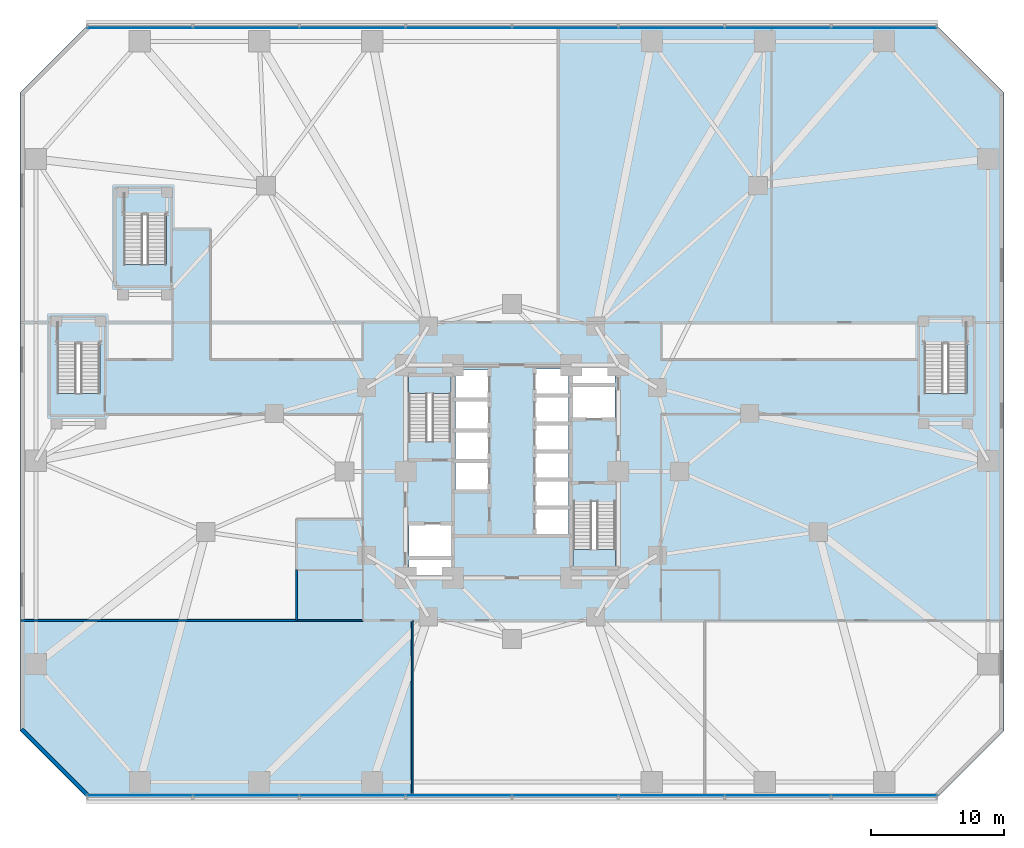
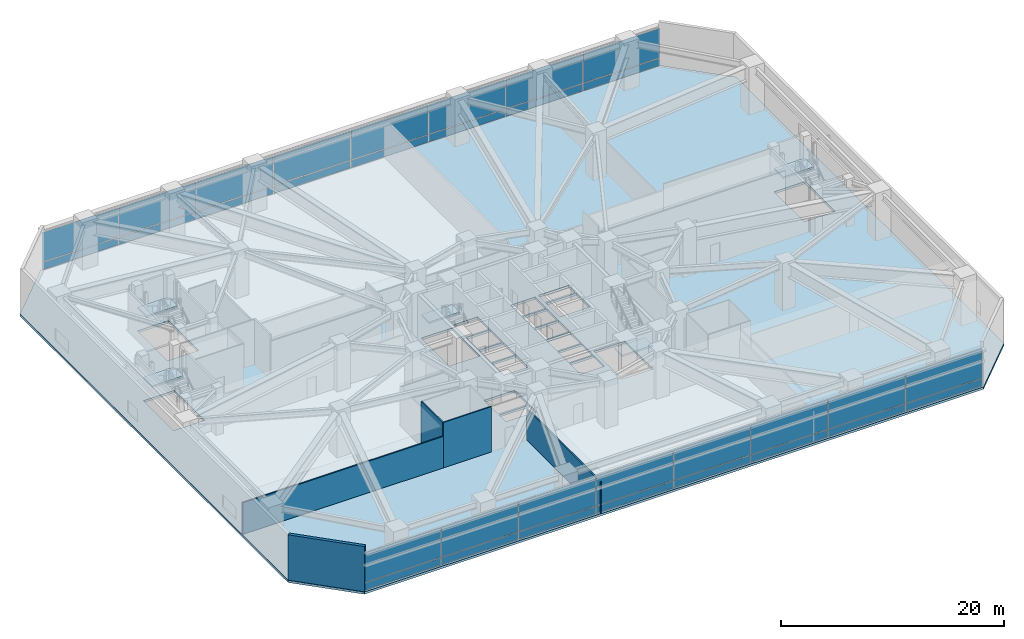
# One storey, part 14 of 27: 32 plates, 6 slabs, 5 walls, 7 elements without a shape of their own.
"""IFC4 building model written with IfcOpenShell, lengths in metres."""

import ifcopenshell
import ifcopenshell.guid

model = None  # the IFC model being written
_history = None  # IfcOwnerHistory: only IFC2X3 demands one
_inside = {}  # id of a spatial element -> (the spatial element, [elements in it])
_under = {}  # id of a project, library or spatial element -> (it, [spatial elements below it])
_declared = {}  # id of a project -> (the project, [libraries it declares])
_typed = {}  # id of a type object -> (the type object, [elements of that type])
_made_of = {}  # id of a material, layer set ... -> (it, [elements and type objects made of it])


def new_model(schema):
    """Start an empty IFC model of exactly this schema.

    Asked for "IFC4X3", IfcOpenShell would pick the latest addendum, in which some entities
    have other attributes; the version numbers below select the first issue.
    IFC2X3 requires an IfcOwnerHistory on every rooted entity: one is made here for all.
    """
    global model, _history
    if schema == "IFC4X3":
        model = ifcopenshell.file(schema_version=(4, 3, 0, 0))
    else:
        model = ifcopenshell.file(schema=schema)
    _inside.clear()
    _under.clear()
    _declared.clear()
    _typed.clear()
    _made_of.clear()
    _history = None
    if model.schema == "IFC2X3":
        org = make("IfcOrganization", Name="unknown")
        user = make(
            "IfcPersonAndOrganization",
            ThePerson=make("IfcPerson", FamilyName="unknown"),
            TheOrganization=org,
        )
        app = make(
            "IfcApplication",
            ApplicationDeveloper=org,
            Version="unknown",
            ApplicationFullName="unknown",
            ApplicationIdentifier="unknown",
        )
        _history = make(
            "IfcOwnerHistory",
            OwningUser=user,
            OwningApplication=app,
            ChangeAction="ADDED",
            CreationDate=0,
        )
    return model


def make(cls, **values):
    """One entity of the class cls with the attributes given. An attribute that is None is left unset."""
    return model.create_entity(
        cls, **{name: value for name, value in values.items() if value is not None}
    )


def rooted(cls, **values):
    """An entity with a GlobalId (a new one), such as an element, a storey or a relation."""
    return make(cls, GlobalId=ifcopenshell.guid.new(), OwnerHistory=_history, **values)


def si_unit(unit_type, name, prefix=None):
    """IfcSIUnit, for example si_unit("LENGTHUNIT", "METRE", prefix="MILLI")."""
    return make("IfcSIUnit", UnitType=unit_type, Prefix=prefix, Name=name)


def assignment(units):
    """IfcUnitAssignment: the units of a project."""
    return None if units is None else make("IfcUnitAssignment", Units=units)


def point(xyz):
    """IfcCartesianPoint."""
    return None if xyz is None else make("IfcCartesianPoint", Coordinates=xyz)


def direction(xyz):
    """IfcDirection."""
    return None if xyz is None else make("IfcDirection", DirectionRatios=xyz)


def frame(location, z_axis=None, x_axis=None):
    """IfcAxis2Placement3D, a coordinate frame: its origin and axes. An axis left out is left unset."""
    return make(
        "IfcAxis2Placement3D",
        Location=point(location),
        Axis=direction(z_axis),
        RefDirection=direction(x_axis),
    )


def frame_2d(location, x_axis=None):
    """IfcAxis2Placement2D, a coordinate frame in the plane: its origin and x axis."""
    return make(
        "IfcAxis2Placement2D", Location=point(location), RefDirection=direction(x_axis)
    )


def origin():
    """The frame at (0, 0, 0) with its axes left unset."""
    return frame((0.0, 0.0, 0.0))


def origin_2d():
    """The frame at (0, 0) in the plane with its x axis left unset."""
    return frame_2d((0.0, 0.0))


def place(relative_to, where):
    """IfcLocalPlacement: puts the frame where relative to a parent placement (None: the world)."""
    return make(
        "IfcLocalPlacement", PlacementRelTo=relative_to, RelativePlacement=where
    )


def context(
    kind, dimensions, precision=None, world=None, true_north=None, identifier=None
):
    """IfcGeometricRepresentationContext, for example the 3D "Model" context."""
    return make(
        "IfcGeometricRepresentationContext",
        ContextIdentifier=identifier,
        ContextType=kind,
        CoordinateSpaceDimension=dimensions,
        Precision=precision,
        WorldCoordinateSystem=world,
        TrueNorth=true_north,
    )


def subcontext(parent, identifier, kind, view, scale=None):
    """IfcGeometricRepresentationSubContext, for example "Body" below "Model"."""
    return make(
        "IfcGeometricRepresentationSubContext",
        ContextIdentifier=identifier,
        ContextType=kind,
        ParentContext=parent,
        TargetScale=scale,
        TargetView=view,
    )


def project(units=None, contexts=None):
    """IfcProject with its units and contexts."""
    return rooted(
        "IfcProject",
        Name="project",
        RepresentationContexts=contexts,
        UnitsInContext=assignment(units),
    )


def spatial(cls, under=None, at=None, **own):
    """A site, building, storey or space (cls), placed at a placement, below another one or the project."""
    s = rooted(cls, ObjectPlacement=at, **own)
    if under is not None:
        _under.setdefault(under.id(), (under, []))[1].append(s)
    return s


def polyline(points):
    """IfcPolyline through the points."""
    return make("IfcPolyline", Points=[point(p) for p in points])


def profile(cls, at=None, kind="AREA", **sizes):
    """A parametric profile (cls). Its sizes go by their IFC names, for example OverallWidth=200.0."""
    return make(cls, ProfileType=kind, Position=at, **sizes)


def rectangle(**sizes):
    """IfcRectangleProfileDef."""
    return profile("IfcRectangleProfileDef", **sizes)


def outline(outer, holes=None, kind="AREA"):
    """IfcArbitraryClosedProfileDef: a profile drawn as a closed curve; with holes, ...WithVoids."""
    if holes is None:
        return make("IfcArbitraryClosedProfileDef", ProfileType=kind, OuterCurve=outer)
    return make(
        "IfcArbitraryProfileDefWithVoids",
        ProfileType=kind,
        OuterCurve=outer,
        InnerCurves=holes,
    )


def extrude(swept, where, along, depth):
    """IfcExtrudedAreaSolid: the profile swept, set in the frame where, extruded along a direction by depth."""
    return make(
        "IfcExtrudedAreaSolid",
        SweptArea=swept,
        Position=where,
        ExtrudedDirection=direction(along),
        Depth=depth,
    )


def shape(context_of_items, identifier, shape_type, items):
    """IfcShapeRepresentation: the items that make up one representation, for example the "Body"."""
    return make(
        "IfcShapeRepresentation",
        ContextOfItems=context_of_items,
        RepresentationIdentifier=identifier,
        RepresentationType=shape_type,
        Items=items,
    )


def material(Name=None, Category=None):
    """IfcMaterial."""
    return make("IfcMaterial", Name=Name, Category=Category)


def layer(
    of_material, thickness, ventilated=None, Name=None, Category=None, Priority=None
):
    """IfcMaterialLayer: one layer of a wall or slab, of a material (None: an air gap)."""
    return make(
        "IfcMaterialLayer",
        Material=of_material,
        LayerThickness=thickness,
        IsVentilated=ventilated,
        Name=Name,
        Category=Category,
        Priority=Priority,
    )


def layer_set(layers, Name=None):
    """IfcMaterialLayerSet."""
    return make("IfcMaterialLayerSet", MaterialLayers=layers, LayerSetName=Name)


def made_of(thing, what):
    """Note that an element or type object is made of a material, layer set ...; save() writes the relation."""
    if what is not None:
        _made_of.setdefault(what.id(), (what, []))[1].append(thing)
    return thing


def type_object(cls, material=None, **own):
    """A type object (cls), such as IfcWallType, which elements share."""
    return made_of(rooted(cls, **own), material)


def element(
    cls,
    number,
    at=None,
    inside=None,
    cuts=None,
    type_object=None,
    material=None,
    context=None,
    identifier="Body",
    shape_type=None,
    held_by="IfcProductDefinitionShape",
    body=None,
    shapes=None,
    **own,
):
    """One element of the class cls, such as IfcWall. Its Tag is "e" and its number.

    at: its placement. inside: the storey or other place that contains it. cuts: it is an
    opening in that element (IfcRelVoidsElement). A single representation is given by context,
    identifier, shape_type and body (its items); several are given by shapes. held_by: the class
    of the entity that holds the representations. save() writes the other relations.
    """
    e = rooted(cls, Tag="e%d" % number, ObjectPlacement=at, **own)
    if body is not None:
        shapes = [shape(context, identifier, shape_type, body)]
    if shapes is not None:
        e.Representation = make(held_by, Representations=shapes)
    if inside is not None:
        _inside.setdefault(inside.id(), (inside, []))[1].append(e)
    if cuts is not None:
        rooted(
            "IfcRelVoidsElement", RelatingBuildingElement=cuts, RelatedOpeningElement=e
        )
    if type_object is not None:
        _typed.setdefault(type_object.id(), (type_object, []))[1].append(e)
    return made_of(e, material)


def aggregate(whole, parts):
    """IfcRelAggregates: a whole, such as a stair, and the parts it consists of."""
    return rooted("IfcRelAggregates", RelatingObject=whole, RelatedObjects=parts)


def save(model, path):
    """Write the relations noted so far, then the file.

    IfcRelAggregates (storeys below a building ...), IfcRelContainedInSpatialStructure (elements
    in a storey), IfcRelDefinesByType, IfcRelAssociatesMaterial and IfcRelDeclares: one each for
    every whole, place, type object, material and project.
    """
    for whole, parts in _under.values():
        aggregate(whole, parts)
    for where, things in _inside.values():
        rooted(
            "IfcRelContainedInSpatialStructure",
            RelatedElements=things,
            RelatingStructure=where,
        )
    for kind, things in _typed.values():
        rooted("IfcRelDefinesByType", RelatedObjects=things, RelatingType=kind)
    for what, things in _made_of.values():
        rooted("IfcRelAssociatesMaterial", RelatedObjects=things, RelatingMaterial=what)
    for by, libraries in _declared.values():
        rooted("IfcRelDeclares", RelatingContext=by, RelatedDefinitions=libraries)
    model.write(path)


model = new_model("IFC4")

# Units and contexts
model_context = context("Model", 3, precision=1e-05, world=origin(), true_north=direction((0.0, 1.0)))
body_context = subcontext(model_context, "Body", "Model", "MODEL_VIEW")
ifc_project = project(units=[si_unit("LENGTHUNIT", "METRE"), si_unit("AREAUNIT", "SQUARE_METRE"), si_unit("VOLUMEUNIT", "CUBIC_METRE"), si_unit("PLANEANGLEUNIT", "RADIAN"), si_unit("MASSUNIT", "GRAM", prefix="KILO")], contexts=[model_context])

# Site, building, storey
site_placement = place(None, origin())
site = spatial("IfcSite", under=ifc_project, at=site_placement, CompositionType="ELEMENT")
building_placement = place(site_placement, origin())
building = spatial("IfcBuilding", under=site, at=building_placement, Name="Terralouvre Media Tower", CompositionType="ELEMENT")
storey_placement = place(building_placement, frame((0.0, 0.0, 15.60009765625)))
storey = spatial("IfcBuildingStorey", under=building, at=storey_placement, Name="L03", CompositionType="ELEMENT", Elevation=15.60009765625)

# Slab
ifc_material_1 = material(Name="Concrete C45/55", Category="concrete")
ifc_layer_1 = layer(ifc_material_1, 0.25, Name="Podium Acoustic Studio Slab S-POD250")
ifc_layer_set_1 = layer_set([ifc_layer_1], Name="Concrete C45/55")
slab_type_1 = type_object("IfcSlabType", Name="Podium Acoustic Studio Slab S-POD250", PredefinedType="FLOOR", material=ifc_layer_set_1)
slab_1_placement = place(storey_placement, frame((0.0, 0.0, -0.25)))
element("IfcSlab", 1, at=slab_1_placement, inside=storey, type_object=slab_type_1, Name="L03 Structural Floor Slab", PredefinedType="FLOOR", context=body_context, shape_type="SweptSolid", body=[
    extrude(outline(polyline([(-32.0, -24.5), (32.0, -24.5), (37.0, -19.5), (37.0, 28.5), (32.0, 33.5), (-32.0, 33.5), (-37.0, 28.5), (-37.0, -19.5), (-32.0, -24.5)]), holes=[polyline([(-4.60009765625, -7.800048828125), (-7.75, -7.800048828125), (-7.75, -6.60009765625), (-4.60009765625, -6.60009765625), (-4.60009765625, -7.800048828125)]), polyline([(-4.60009765625, -6.39990234375), (-7.75, -6.39990234375), (-7.75, -3.949951171875), (-4.60009765625, -3.949951171875), (-4.60009765625, -6.39990234375)]), polyline([(-1.75, -1.419921875), (-4.25, -1.419921875), (-4.25, 0.719970703125), (-1.75, 0.719970703125), (-1.75, -1.419921875)]), polyline([(4.25, -0.52001953125), (1.75, -0.52001953125), (1.75, 1.419921875), (4.25, 1.419921875), (4.25, -0.52001953125)]), polyline([(-1.75, 0.8798828125), (-4.25, 0.8798828125), (-4.25, 3.02001953125), (-1.75, 3.02001953125), (-1.75, 0.8798828125)]), polyline([(-1.75, 3.179931640625), (-4.25, 3.179931640625), (-4.25, 5.320068359375), (-1.75, 5.320068359375), (-1.75, 3.179931640625)]), polyline([(-4.60009765625, 2.2451171875), (-7.780029296875, 2.2451171875), (-7.780029296875, 7.260009765625), (-4.60009765625, 7.260009765625), (-4.60009765625, 2.2451171875)]), polyline([(-4.25, 5.47998046875), (-4.25, 7.6201171875), (-1.75, 7.6201171875), (-1.75, 5.47998046875), (-4.25, 5.47998046875)]), polyline([(-34.199951171875, 5.875), (-34.199951171875, 11.25), (-31.0, 11.25), (-31.0, 5.875), (-34.199951171875, 5.875)]), polyline([(-26.0, 15.574951171875), (-29.199951171875, 15.574951171875), (-29.199951171875, 20.949951171875), (-26.0, 20.949951171875), (-26.0, 15.574951171875)]), polyline([(4.60009765625, -2.2451171875), (7.780029296875, -2.2451171875), (7.780029296875, -7.260009765625), (4.60009765625, -7.260009765625), (4.60009765625, -2.2451171875)]), polyline([(4.25, -4.719970703125), (1.75, -4.719970703125), (1.75, -2.780029296875), (4.25, -2.780029296875), (4.25, -4.719970703125)]), polyline([(1.75, -2.6201171875), (1.75, -0.679931640625), (4.25, -0.679931640625), (4.25, -2.6201171875), (1.75, -2.6201171875)]), polyline([(1.75, 1.580078125), (1.75, 3.52001953125), (4.25, 3.52001953125), (4.25, 1.580078125), (1.75, 1.580078125)]), polyline([(4.25, 3.679931640625), (1.75, 3.679931640625), (1.75, 5.6201171875), (4.25, 5.6201171875), (4.25, 3.679931640625)]), polyline([(7.75, 3.949951171875), (4.60009765625, 3.949951171875), (4.60009765625, 6.39990234375), (7.75, 6.39990234375), (7.75, 3.949951171875)]), polyline([(4.25, 5.780029296875), (1.75, 5.780029296875), (1.75, 7.719970703125), (4.25, 7.719970703125), (4.25, 5.780029296875)]), polyline([(4.60009765625, 6.60009765625), (4.60009765625, 7.800048828125), (7.75, 7.800048828125), (7.75, 6.60009765625), (4.60009765625, 6.60009765625)]), polyline([(31.0, 5.875), (31.0, 11.25), (34.199951171875, 11.25), (34.199951171875, 5.875), (31.0, 5.875)])]), origin(), (0.0, 0.0, 1.0), 0.25),
])

# Stair, slab
ifc_material_2 = material(Name="Concrete C45/55", Category="concrete")
stair_type_1 = type_object("IfcStairType", Name="Dogleg Stair Assembly ST-01", PredefinedType="HALF_TURN_STAIR", material=ifc_material_2)
stair_1_placement = place(storey_placement, origin())
stair_1 = element("IfcStair", 2, at=stair_1_placement, inside=storey, type_object=stair_type_1, Name="L03 Core Pressurised Exit Stair ST-01", PredefinedType="HALF_TURN_STAIR")
ifc_material_3 = material(Name="Concrete C45/55", Category="concrete")
ifc_layer_2 = layer(ifc_material_3, 0.199951171875, Name="Reinforced Concrete Stair Half-Landing SL-LD1")
ifc_layer_set_2 = layer_set([ifc_layer_2], Name="Concrete C45/55")
slab_type_2 = type_object("IfcSlabType", Name="Reinforced Concrete Stair Half-Landing SL-LD1", PredefinedType="LANDING", material=ifc_layer_set_2)
slab_2_placement = place(storey_placement, frame((0.0, 0.0, 2.39990234375)))
slab_2 = element("IfcSlab", 3, at=slab_2_placement, type_object=slab_type_2, Name="ST-01 landing 1", PredefinedType="LANDING", context=body_context, shape_type="SweptSolid", body=[
    extrude(outline(polyline([(-4.60009765625, 5.860107421875), (-4.60009765625, 7.260009765625), (-7.780029296875, 7.260009765625), (-7.780029296875, 5.860107421875), (-4.60009765625, 5.860107421875)])), origin(), (0.0, 0.0, 1.0), 0.199951171875),
])
aggregate(stair_1, [slab_2])

ifc_material_4 = material(Name="Concrete C45/55", Category="concrete")
stair_type_2 = type_object("IfcStairType", Name="Dogleg Stair Assembly ST-02", PredefinedType="HALF_TURN_STAIR", material=ifc_material_4)
stair_2_placement = place(storey_placement, origin())
stair_2 = element("IfcStair", 4, at=stair_2_placement, inside=storey, type_object=stair_type_2, Name="L03 Core Pressurised Exit Stair ST-02", PredefinedType="HALF_TURN_STAIR")
slab_3_placement = place(storey_placement, frame((0.0, 0.0, 2.39990234375)))
slab_3 = element("IfcSlab", 5, at=slab_3_placement, type_object=slab_type_2, Name="ST-02 landing 1", PredefinedType="LANDING", context=body_context, shape_type="SweptSolid", body=[
    extrude(outline(polyline([(4.60009765625, -5.860107421875), (4.60009765625, -7.260009765625), (7.780029296875, -7.260009765625), (7.780029296875, -5.860107421875), (4.60009765625, -5.860107421875)])), origin(), (0.0, 0.0, 1.0), 0.199951171875),
])
aggregate(stair_2, [slab_3])

ifc_material_5 = material(Name="Concrete C45/55", Category="concrete")
stair_type_3 = type_object("IfcStairType", Name="Dogleg Stair Assembly ST-03", PredefinedType="HALF_TURN_STAIR", material=ifc_material_5)
stair_3_placement = place(storey_placement, origin())
stair_3 = element("IfcStair", 6, at=stair_3_placement, inside=storey, type_object=stair_type_3, Name="L03 West Podium Exit Stair ST-03", PredefinedType="HALF_TURN_STAIR")
slab_4_placement = place(storey_placement, frame((0.0, 0.0, 2.39990234375)))
slab_4 = element("IfcSlab", 7, at=slab_4_placement, type_object=slab_type_2, Name="ST-03 landing 1", PredefinedType="LANDING", context=body_context, shape_type="SweptSolid", body=[
    extrude(outline(polyline([(-31.0, 9.6298828125), (-31.0, 11.25), (-34.199951171875, 11.25), (-34.199951171875, 9.6298828125), (-31.0, 9.6298828125)])), origin(), (0.0, 0.0, 1.0), 0.199951171875),
])
aggregate(stair_3, [slab_4])

ifc_material_6 = material(Name="Concrete C45/55", Category="concrete")
stair_type_4 = type_object("IfcStairType", Name="Dogleg Stair Assembly ST-04", PredefinedType="HALF_TURN_STAIR", material=ifc_material_6)
stair_4_placement = place(storey_placement, origin())
stair_4 = element("IfcStair", 8, at=stair_4_placement, inside=storey, type_object=stair_type_4, Name="L03 East Podium Exit Stair ST-04", PredefinedType="HALF_TURN_STAIR")
slab_5_placement = place(storey_placement, frame((0.0, 0.0, 2.39990234375)))
slab_5 = element("IfcSlab", 9, at=slab_5_placement, type_object=slab_type_2, Name="ST-04 landing 1", PredefinedType="LANDING", context=body_context, shape_type="SweptSolid", body=[
    extrude(outline(polyline([(34.199951171875, 9.6298828125), (34.199951171875, 11.25), (31.0, 11.25), (31.0, 9.6298828125), (34.199951171875, 9.6298828125)])), origin(), (0.0, 0.0, 1.0), 0.199951171875),
])
aggregate(stair_4, [slab_5])

ifc_material_7 = material(Name="Concrete C45/55", Category="concrete")
stair_type_5 = type_object("IfcStairType", Name="Dogleg Stair Assembly ST-06", PredefinedType="HALF_TURN_STAIR", material=ifc_material_7)
stair_5_placement = place(storey_placement, origin())
stair_5 = element("IfcStair", 10, at=stair_5_placement, inside=storey, type_object=stair_type_5, Name="L03 Podium Garden Visitor Stair ST-06", PredefinedType="HALF_TURN_STAIR")
slab_6_placement = place(storey_placement, frame((0.0, 0.0, 2.39990234375)))
slab_6 = element("IfcSlab", 11, at=slab_6_placement, type_object=slab_type_2, Name="ST-06 landing 1", PredefinedType="LANDING", context=body_context, shape_type="SweptSolid", body=[
    extrude(outline(polyline([(-26.0, 19.330078125), (-26.0, 20.949951171875), (-29.199951171875, 20.949951171875), (-29.199951171875, 19.330078125), (-26.0, 19.330078125)])), origin(), (0.0, 0.0, 1.0), 0.199951171875),
])
aggregate(stair_5, [slab_6])

# Curtain wall, plates
ifc_material_8 = material(Name="Low-iron laminated double glazing with solar-control coating", Category="glass")
ifc_layer_3 = layer(ifc_material_8, 0.1650390625, Name="Podium Broadcast Gallery Glazing CW-01")
ifc_layer_set_3 = layer_set([ifc_layer_3], Name="Low-iron laminated double glazing with solar-control coating")
curtain_wall_type = type_object("IfcCurtainWallType", Name="Podium Broadcast Gallery Glazing CW-01", PredefinedType="NOTDEFINED", material=ifc_layer_set_3)
curtain_wall_1_placement = place(storey_placement, origin())
curtain_wall_1 = element("IfcCurtainWall", 12, at=curtain_wall_1_placement, inside=storey, type_object=curtain_wall_type, Name="L03 Podium Curtain Wall F0", PredefinedType="NOTDEFINED")
ifc_material_9 = material(Name="Low-iron laminated double glazing with solar-control coating", Category="glass")
ifc_layer_4 = layer(ifc_material_9, 0.035888671875, Name="Vision Double-Glazed Unit CWP-01")
ifc_layer_set_4 = layer_set([ifc_layer_4], Name="Low-iron laminated double glazing with solar-control coating")
plate_type = type_object("IfcPlateType", Name="Vision Double-Glazed Unit CWP-01", PredefinedType="CURTAIN_PANEL", material=ifc_layer_set_4)
plate_1_placement = place(storey_placement, frame((-27.981201171875, -24.360107421875, 0.074951171875), z_axis=(0.0, 0.0, 1.0), x_axis=(1.0, 0.0, 0.0)))
plate_1 = element("IfcPlate", 13, at=plate_1_placement, type_object=plate_type, Name="CW-01 panel 1.1", PredefinedType="CURTAIN_PANEL", context=body_context, shape_type="SweptSolid", body=[
    extrude(rectangle(XDim=7.887451171875, YDim=0.035888671875, at=origin_2d()), origin(), (0.0, 0.0, 1.0), 0.78759765625),
])
plate_2_placement = place(storey_placement, frame((-27.981201171875, -24.360107421875, 0.9375), z_axis=(0.0, 0.0, 1.0), x_axis=(1.0, 0.0, 0.0)))
plate_2 = element("IfcPlate", 14, at=plate_2_placement, type_object=plate_type, Name="CW-01 panel 1.2", PredefinedType="CURTAIN_PANEL", context=body_context, shape_type="SweptSolid", body=[
    extrude(rectangle(XDim=7.887451171875, YDim=0.035888671875, at=origin_2d()), origin(), (0.0, 0.0, 1.0), 3.217529296875),
])
plate_3_placement = place(storey_placement, frame((-20.0, -24.360107421875, 0.074951171875), z_axis=(0.0, 0.0, 1.0), x_axis=(1.0, 0.0, 0.0)))
plate_3 = element("IfcPlate", 15, at=plate_3_placement, type_object=plate_type, Name="CW-01 panel 2.1", PredefinedType="CURTAIN_PANEL", context=body_context, shape_type="SweptSolid", body=[
    extrude(rectangle(XDim=7.925048828125, YDim=0.035888671875, at=origin_2d()), origin(), (0.0, 0.0, 1.0), 0.78759765625),
])
plate_4_placement = place(storey_placement, frame((-20.0, -24.360107421875, 0.9375), z_axis=(0.0, 0.0, 1.0), x_axis=(1.0, 0.0, 0.0)))
plate_4 = element("IfcPlate", 16, at=plate_4_placement, type_object=plate_type, Name="CW-01 panel 2.2", PredefinedType="CURTAIN_PANEL", context=body_context, shape_type="SweptSolid", body=[
    extrude(rectangle(XDim=7.925048828125, YDim=0.035888671875, at=origin_2d()), origin(), (0.0, 0.0, 1.0), 3.217529296875),
])
plate_5_placement = place(storey_placement, frame((-12.0, -24.360107421875, 0.074951171875), z_axis=(0.0, 0.0, 1.0), x_axis=(1.0, 0.0, 0.0)))
plate_5 = element("IfcPlate", 17, at=plate_5_placement, type_object=plate_type, Name="CW-01 panel 3.1", PredefinedType="CURTAIN_PANEL", context=body_context, shape_type="SweptSolid", body=[
    extrude(rectangle(XDim=7.925048828125, YDim=0.035888671875, at=origin_2d()), origin(), (0.0, 0.0, 1.0), 0.78759765625),
])
plate_6_placement = place(storey_placement, frame((-12.0, -24.360107421875, 0.9375), z_axis=(0.0, 0.0, 1.0), x_axis=(1.0, 0.0, 0.0)))
plate_6 = element("IfcPlate", 18, at=plate_6_placement, type_object=plate_type, Name="CW-01 panel 3.2", PredefinedType="CURTAIN_PANEL", context=body_context, shape_type="SweptSolid", body=[
    extrude(rectangle(XDim=7.925048828125, YDim=0.035888671875, at=origin_2d()), origin(), (0.0, 0.0, 1.0), 3.217529296875),
])
plate_7_placement = place(storey_placement, frame((-4.0, -24.360107421875, 0.074951171875), z_axis=(0.0, 0.0, 1.0), x_axis=(1.0, 0.0, 0.0)))
plate_7 = element("IfcPlate", 19, at=plate_7_placement, type_object=plate_type, Name="CW-01 panel 4.1", PredefinedType="CURTAIN_PANEL", context=body_context, shape_type="SweptSolid", body=[
    extrude(rectangle(XDim=7.925048828125, YDim=0.035888671875, at=origin_2d()), origin(), (0.0, 0.0, 1.0), 0.78759765625),
])
plate_8_placement = place(storey_placement, frame((-4.0, -24.360107421875, 0.9375), z_axis=(0.0, 0.0, 1.0), x_axis=(1.0, 0.0, 0.0)))
plate_8 = element("IfcPlate", 20, at=plate_8_placement, type_object=plate_type, Name="CW-01 panel 4.2", PredefinedType="CURTAIN_PANEL", context=body_context, shape_type="SweptSolid", body=[
    extrude(rectangle(XDim=7.925048828125, YDim=0.035888671875, at=origin_2d()), origin(), (0.0, 0.0, 1.0), 3.217529296875),
])
plate_9_placement = place(storey_placement, frame((4.0, -24.360107421875, 0.074951171875), z_axis=(0.0, 0.0, 1.0), x_axis=(1.0, 0.0, 0.0)))
plate_9 = element("IfcPlate", 21, at=plate_9_placement, type_object=plate_type, Name="CW-01 panel 5.1", PredefinedType="CURTAIN_PANEL", context=body_context, shape_type="SweptSolid", body=[
    extrude(rectangle(XDim=7.925048828125, YDim=0.035888671875, at=origin_2d()), origin(), (0.0, 0.0, 1.0), 0.78759765625),
])
plate_10_placement = place(storey_placement, frame((4.0, -24.360107421875, 0.9375), z_axis=(0.0, 0.0, 1.0), x_axis=(1.0, 0.0, 0.0)))
plate_10 = element("IfcPlate", 22, at=plate_10_placement, type_object=plate_type, Name="CW-01 panel 5.2", PredefinedType="CURTAIN_PANEL", context=body_context, shape_type="SweptSolid", body=[
    extrude(rectangle(XDim=7.925048828125, YDim=0.035888671875, at=origin_2d()), origin(), (0.0, 0.0, 1.0), 3.217529296875),
])
plate_11_placement = place(storey_placement, frame((12.0, -24.360107421875, 0.074951171875), z_axis=(0.0, 0.0, 1.0), x_axis=(1.0, 0.0, 0.0)))
plate_11 = element("IfcPlate", 23, at=plate_11_placement, type_object=plate_type, Name="CW-01 panel 6.1", PredefinedType="CURTAIN_PANEL", context=body_context, shape_type="SweptSolid", body=[
    extrude(rectangle(XDim=7.925048828125, YDim=0.035888671875, at=origin_2d()), origin(), (0.0, 0.0, 1.0), 0.78759765625),
])
plate_12_placement = place(storey_placement, frame((12.0, -24.360107421875, 0.9375), z_axis=(0.0, 0.0, 1.0), x_axis=(1.0, 0.0, 0.0)))
plate_12 = element("IfcPlate", 24, at=plate_12_placement, type_object=plate_type, Name="CW-01 panel 6.2", PredefinedType="CURTAIN_PANEL", context=body_context, shape_type="SweptSolid", body=[
    extrude(rectangle(XDim=7.925048828125, YDim=0.035888671875, at=origin_2d()), origin(), (0.0, 0.0, 1.0), 3.217529296875),
])
plate_13_placement = place(storey_placement, frame((20.0, -24.360107421875, 0.074951171875), z_axis=(0.0, 0.0, 1.0), x_axis=(1.0, 0.0, 0.0)))
plate_13 = element("IfcPlate", 25, at=plate_13_placement, type_object=plate_type, Name="CW-01 panel 7.1", PredefinedType="CURTAIN_PANEL", context=body_context, shape_type="SweptSolid", body=[
    extrude(rectangle(XDim=7.925048828125, YDim=0.035888671875, at=origin_2d()), origin(), (0.0, 0.0, 1.0), 0.78759765625),
])
plate_14_placement = place(storey_placement, frame((20.0, -24.360107421875, 0.9375), z_axis=(0.0, 0.0, 1.0), x_axis=(1.0, 0.0, 0.0)))
plate_14 = element("IfcPlate", 26, at=plate_14_placement, type_object=plate_type, Name="CW-01 panel 7.2", PredefinedType="CURTAIN_PANEL", context=body_context, shape_type="SweptSolid", body=[
    extrude(rectangle(XDim=7.925048828125, YDim=0.035888671875, at=origin_2d()), origin(), (0.0, 0.0, 1.0), 3.217529296875),
])
plate_15_placement = place(storey_placement, frame((27.981201171875, -24.360107421875, 0.074951171875), z_axis=(0.0, 0.0, 1.0), x_axis=(1.0, 0.0, 0.0)))
plate_15 = element("IfcPlate", 27, at=plate_15_placement, type_object=plate_type, Name="CW-01 panel 8.1", PredefinedType="CURTAIN_PANEL", context=body_context, shape_type="SweptSolid", body=[
    extrude(rectangle(XDim=7.887451171875, YDim=0.035888671875, at=origin_2d()), origin(), (0.0, 0.0, 1.0), 0.78759765625),
])
plate_16_placement = place(storey_placement, frame((27.981201171875, -24.360107421875, 0.9375), z_axis=(0.0, 0.0, 1.0), x_axis=(1.0, 0.0, 0.0)))
plate_16 = element("IfcPlate", 28, at=plate_16_placement, type_object=plate_type, Name="CW-01 panel 8.2", PredefinedType="CURTAIN_PANEL", context=body_context, shape_type="SweptSolid", body=[
    extrude(rectangle(XDim=7.887451171875, YDim=0.035888671875, at=origin_2d()), origin(), (0.0, 0.0, 1.0), 3.217529296875),
])
aggregate(curtain_wall_1, [plate_1, plate_2, plate_3, plate_4, plate_5, plate_6, plate_7, plate_8, plate_9, plate_10, plate_11, plate_12, plate_13, plate_14, plate_15, plate_16])

curtain_wall_2_placement = place(storey_placement, origin())
curtain_wall_2 = element("IfcCurtainWall", 29, at=curtain_wall_2_placement, inside=storey, type_object=curtain_wall_type, Name="L03 Podium Curtain Wall F4", PredefinedType="NOTDEFINED")
plate_17_placement = place(storey_placement, frame((27.981201171875, 33.360107421875, 0.074951171875), z_axis=(0.0, 0.0, 1.0), x_axis=(-1.0, 0.0, 0.0)))
plate_17 = element("IfcPlate", 30, at=plate_17_placement, type_object=plate_type, Name="CW-01 panel 1.1", PredefinedType="CURTAIN_PANEL", context=body_context, shape_type="SweptSolid", body=[
    extrude(rectangle(XDim=7.887451171875, YDim=0.035888671875, at=origin_2d()), origin(), (0.0, 0.0, 1.0), 0.78759765625),
])
plate_18_placement = place(storey_placement, frame((27.981201171875, 33.360107421875, 0.9375), z_axis=(0.0, 0.0, 1.0), x_axis=(-1.0, 0.0, 0.0)))
plate_18 = element("IfcPlate", 31, at=plate_18_placement, type_object=plate_type, Name="CW-01 panel 1.2", PredefinedType="CURTAIN_PANEL", context=body_context, shape_type="SweptSolid", body=[
    extrude(rectangle(XDim=7.887451171875, YDim=0.035888671875, at=origin_2d()), origin(), (0.0, 0.0, 1.0), 3.217529296875),
])
plate_19_placement = place(storey_placement, frame((20.0, 33.360107421875, 0.074951171875), z_axis=(0.0, 0.0, 1.0), x_axis=(-1.0, 0.0, 0.0)))
plate_19 = element("IfcPlate", 32, at=plate_19_placement, type_object=plate_type, Name="CW-01 panel 2.1", PredefinedType="CURTAIN_PANEL", context=body_context, shape_type="SweptSolid", body=[
    extrude(rectangle(XDim=7.925048828125, YDim=0.035888671875, at=origin_2d()), origin(), (0.0, 0.0, 1.0), 0.78759765625),
])
plate_20_placement = place(storey_placement, frame((20.0, 33.360107421875, 0.9375), z_axis=(0.0, 0.0, 1.0), x_axis=(-1.0, 0.0, 0.0)))
plate_20 = element("IfcPlate", 33, at=plate_20_placement, type_object=plate_type, Name="CW-01 panel 2.2", PredefinedType="CURTAIN_PANEL", context=body_context, shape_type="SweptSolid", body=[
    extrude(rectangle(XDim=7.925048828125, YDim=0.035888671875, at=origin_2d()), origin(), (0.0, 0.0, 1.0), 3.217529296875),
])
plate_21_placement = place(storey_placement, frame((12.0, 33.360107421875, 0.074951171875), z_axis=(0.0, 0.0, 1.0), x_axis=(-1.0, 0.0, 0.0)))
plate_21 = element("IfcPlate", 34, at=plate_21_placement, type_object=plate_type, Name="CW-01 panel 3.1", PredefinedType="CURTAIN_PANEL", context=body_context, shape_type="SweptSolid", body=[
    extrude(rectangle(XDim=7.925048828125, YDim=0.035888671875, at=origin_2d()), origin(), (0.0, 0.0, 1.0), 0.78759765625),
])
plate_22_placement = place(storey_placement, frame((12.0, 33.360107421875, 0.9375), z_axis=(0.0, 0.0, 1.0), x_axis=(-1.0, 0.0, 0.0)))
plate_22 = element("IfcPlate", 35, at=plate_22_placement, type_object=plate_type, Name="CW-01 panel 3.2", PredefinedType="CURTAIN_PANEL", context=body_context, shape_type="SweptSolid", body=[
    extrude(rectangle(XDim=7.925048828125, YDim=0.035888671875, at=origin_2d()), origin(), (0.0, 0.0, 1.0), 3.217529296875),
])
plate_23_placement = place(storey_placement, frame((4.0, 33.360107421875, 0.074951171875), z_axis=(0.0, 0.0, 1.0), x_axis=(-1.0, 0.0, 0.0)))
plate_23 = element("IfcPlate", 36, at=plate_23_placement, type_object=plate_type, Name="CW-01 panel 4.1", PredefinedType="CURTAIN_PANEL", context=body_context, shape_type="SweptSolid", body=[
    extrude(rectangle(XDim=7.925048828125, YDim=0.035888671875, at=origin_2d()), origin(), (0.0, 0.0, 1.0), 0.78759765625),
])
plate_24_placement = place(storey_placement, frame((4.0, 33.360107421875, 0.9375), z_axis=(0.0, 0.0, 1.0), x_axis=(-1.0, 0.0, 0.0)))
plate_24 = element("IfcPlate", 37, at=plate_24_placement, type_object=plate_type, Name="CW-01 panel 4.2", PredefinedType="CURTAIN_PANEL", context=body_context, shape_type="SweptSolid", body=[
    extrude(rectangle(XDim=7.925048828125, YDim=0.035888671875, at=origin_2d()), origin(), (0.0, 0.0, 1.0), 3.217529296875),
])
plate_25_placement = place(storey_placement, frame((-4.0, 33.360107421875, 0.074951171875), z_axis=(0.0, 0.0, 1.0), x_axis=(-1.0, 0.0, 0.0)))
plate_25 = element("IfcPlate", 38, at=plate_25_placement, type_object=plate_type, Name="CW-01 panel 5.1", PredefinedType="CURTAIN_PANEL", context=body_context, shape_type="SweptSolid", body=[
    extrude(rectangle(XDim=7.925048828125, YDim=0.035888671875, at=origin_2d()), origin(), (0.0, 0.0, 1.0), 0.78759765625),
])
plate_26_placement = place(storey_placement, frame((-4.0, 33.360107421875, 0.9375), z_axis=(0.0, 0.0, 1.0), x_axis=(-1.0, 0.0, 0.0)))
plate_26 = element("IfcPlate", 39, at=plate_26_placement, type_object=plate_type, Name="CW-01 panel 5.2", PredefinedType="CURTAIN_PANEL", context=body_context, shape_type="SweptSolid", body=[
    extrude(rectangle(XDim=7.925048828125, YDim=0.035888671875, at=origin_2d()), origin(), (0.0, 0.0, 1.0), 3.217529296875),
])
plate_27_placement = place(storey_placement, frame((-12.0, 33.360107421875, 0.074951171875), z_axis=(0.0, 0.0, 1.0), x_axis=(-1.0, 0.0, 0.0)))
plate_27 = element("IfcPlate", 40, at=plate_27_placement, type_object=plate_type, Name="CW-01 panel 6.1", PredefinedType="CURTAIN_PANEL", context=body_context, shape_type="SweptSolid", body=[
    extrude(rectangle(XDim=7.925048828125, YDim=0.035888671875, at=origin_2d()), origin(), (0.0, 0.0, 1.0), 0.78759765625),
])
plate_28_placement = place(storey_placement, frame((-12.0, 33.360107421875, 0.9375), z_axis=(0.0, 0.0, 1.0), x_axis=(-1.0, 0.0, 0.0)))
plate_28 = element("IfcPlate", 41, at=plate_28_placement, type_object=plate_type, Name="CW-01 panel 6.2", PredefinedType="CURTAIN_PANEL", context=body_context, shape_type="SweptSolid", body=[
    extrude(rectangle(XDim=7.925048828125, YDim=0.035888671875, at=origin_2d()), origin(), (0.0, 0.0, 1.0), 3.217529296875),
])
plate_29_placement = place(storey_placement, frame((-20.0, 33.360107421875, 0.074951171875), z_axis=(0.0, 0.0, 1.0), x_axis=(-1.0, 0.0, 0.0)))
plate_29 = element("IfcPlate", 42, at=plate_29_placement, type_object=plate_type, Name="CW-01 panel 7.1", PredefinedType="CURTAIN_PANEL", context=body_context, shape_type="SweptSolid", body=[
    extrude(rectangle(XDim=7.925048828125, YDim=0.035888671875, at=origin_2d()), origin(), (0.0, 0.0, 1.0), 0.78759765625),
])
plate_30_placement = place(storey_placement, frame((-20.0, 33.360107421875, 0.9375), z_axis=(0.0, 0.0, 1.0), x_axis=(-1.0, 0.0, 0.0)))
plate_30 = element("IfcPlate", 43, at=plate_30_placement, type_object=plate_type, Name="CW-01 panel 7.2", PredefinedType="CURTAIN_PANEL", context=body_context, shape_type="SweptSolid", body=[
    extrude(rectangle(XDim=7.925048828125, YDim=0.035888671875, at=origin_2d()), origin(), (0.0, 0.0, 1.0), 3.217529296875),
])
plate_31_placement = place(storey_placement, frame((-27.981201171875, 33.360107421875, 0.074951171875), z_axis=(0.0, 0.0, 1.0), x_axis=(-1.0, 0.0, 0.0)))
plate_31 = element("IfcPlate", 44, at=plate_31_placement, type_object=plate_type, Name="CW-01 panel 8.1", PredefinedType="CURTAIN_PANEL", context=body_context, shape_type="SweptSolid", body=[
    extrude(rectangle(XDim=7.887451171875, YDim=0.035888671875, at=origin_2d()), origin(), (0.0, 0.0, 1.0), 0.78759765625),
])
plate_32_placement = place(storey_placement, frame((-27.981201171875, 33.360107421875, 0.9375), z_axis=(0.0, 0.0, 1.0), x_axis=(-1.0, 0.0, 0.0)))
plate_32 = element("IfcPlate", 45, at=plate_32_placement, type_object=plate_type, Name="CW-01 panel 8.2", PredefinedType="CURTAIN_PANEL", context=body_context, shape_type="SweptSolid", body=[
    extrude(rectangle(XDim=7.887451171875, YDim=0.035888671875, at=origin_2d()), origin(), (0.0, 0.0, 1.0), 3.217529296875),
])
aggregate(curtain_wall_2, [plate_17, plate_18, plate_19, plate_20, plate_21, plate_22, plate_23, plate_24, plate_25, plate_26, plate_27, plate_28, plate_29, plate_30, plate_31, plate_32])

# Walls
ifc_material_10 = material(Name="Fire-rated gypsum board drywall partition")
ifc_layer_5 = layer(ifc_material_10, 0.135009765625, Name="Newsroom Acoustic Partition PT-135")
ifc_layer_set_5 = layer_set([ifc_layer_5], Name="Fire-rated gypsum board drywall partition")
wall_type_1 = type_object("IfcWallType", Name="Newsroom Acoustic Partition PT-135", PredefinedType="PARTITIONING", material=ifc_layer_set_5)
wall_1_placement = place(storey_placement, frame((-16.199951171875, -11.199951171875, 0.0), z_axis=(0.0, 0.0, 1.0), x_axis=(0.0, 1.0, 0.0)))
element("IfcWall", 46, at=wall_1_placement, inside=storey, type_object=wall_type_1, Name="L03 Interior Partition 025", PredefinedType="PARTITIONING", context=body_context, shape_type="SweptSolid", body=[
    extrude(rectangle(XDim=3.800048828125, YDim=0.135009765625, at=frame_2d((1.89990234375, 0.0))), origin(), (0.0, 0.0, 1.0), 4.949951171875),
])
wall_2_placement = place(storey_placement, frame((-36.919921875, -11.199951171875, 0.0), z_axis=(0.0, 0.0, 1.0), x_axis=(1.0, 0.0, 0.0)))
element("IfcWall", 47, at=wall_2_placement, inside=storey, type_object=wall_type_1, Name="L03 Interior Partition 026", PredefinedType="PARTITIONING", context=body_context, shape_type="SweptSolid", body=[
    extrude(rectangle(XDim=20.719970703125, YDim=0.135009765625, at=frame_2d((10.35986328125, 0.0))), origin(), (0.0, 0.0, 1.0), 3.434814453125),
])
wall_3_placement = place(storey_placement, frame((-7.5, -24.419921875, 0.0), z_axis=(0.0, 0.0, 1.0), x_axis=(0.0, 1.0, 0.0)))
element("IfcWall", 48, at=wall_3_placement, inside=storey, type_object=wall_type_1, Name="L03 Interior Partition 030", PredefinedType="PARTITIONING", context=body_context, shape_type="SweptSolid", body=[
    extrude(rectangle(XDim=13.219970703125, YDim=0.135009765625, at=frame_2d((6.60986328125, 0.0))), origin(), (0.0, 0.0, 1.0), 3.434814453125),
])
ifc_material_11 = material(Name="Kiln-fired architectural terracotta rainscreen cladding", Category="masonry")
ifc_layer_6 = layer(ifc_material_11, 0.300048828125, Name="Podium Acoustic Terracotta Cladding Wall EW-TC300")
ifc_layer_set_6 = layer_set([ifc_layer_6], Name="Kiln-fired architectural terracotta rainscreen cladding")
wall_type_2 = type_object("IfcWallType", Name="Podium Acoustic Terracotta Cladding Wall EW-TC300", PredefinedType="SOLIDWALL", material=ifc_layer_set_6)
wall_4_placement = place(storey_placement, frame((-36.876220703125, -19.376220703125, 0.0), z_axis=(0.0, 0.0, 1.0), x_axis=(0.707106781187, -0.707106781187, 0.0)))
element("IfcWall", 49, at=wall_4_placement, inside=storey, type_object=wall_type_2, Name="L03 Podium Terracotta Wall F7", PredefinedType="SOLIDWALL", context=body_context, shape_type="SweptSolid", body=[
    extrude(rectangle(XDim=7.071044921875, YDim=0.300048828125, at=frame_2d((3.53564453125, 0.0))), origin(), (0.0, 0.0, 1.0), 4.949951171875),
])
ifc_material_12 = material(Name="Fire-rated gypsum board drywall partition")
ifc_layer_7 = layer(ifc_material_12, 0.114990234375, Name="Restroom and Pantry Partition PT-115")
ifc_layer_set_7 = layer_set([ifc_layer_7], Name="Fire-rated gypsum board drywall partition")
wall_type_3 = type_object("IfcWallType", Name="Restroom and Pantry Partition PT-115", PredefinedType="PARTITIONING", material=ifc_layer_set_7)
wall_5_placement = place(storey_placement, frame((-16.199951171875, -11.199951171875, 0.0), z_axis=(0.0, 0.0, 1.0), x_axis=(1.0, 0.0, 0.0)))
element("IfcWall", 50, at=wall_5_placement, inside=storey, type_object=wall_type_3, Name="L03 Interior Partition 029", PredefinedType="PARTITIONING", context=body_context, shape_type="SweptSolid", body=[
    extrude(rectangle(XDim=5.0, YDim=0.114990234375, at=frame_2d((2.5, 0.0))), origin(), (0.0, 0.0, 1.0), 4.949951171875),
])

save(model, "model.ifc")
